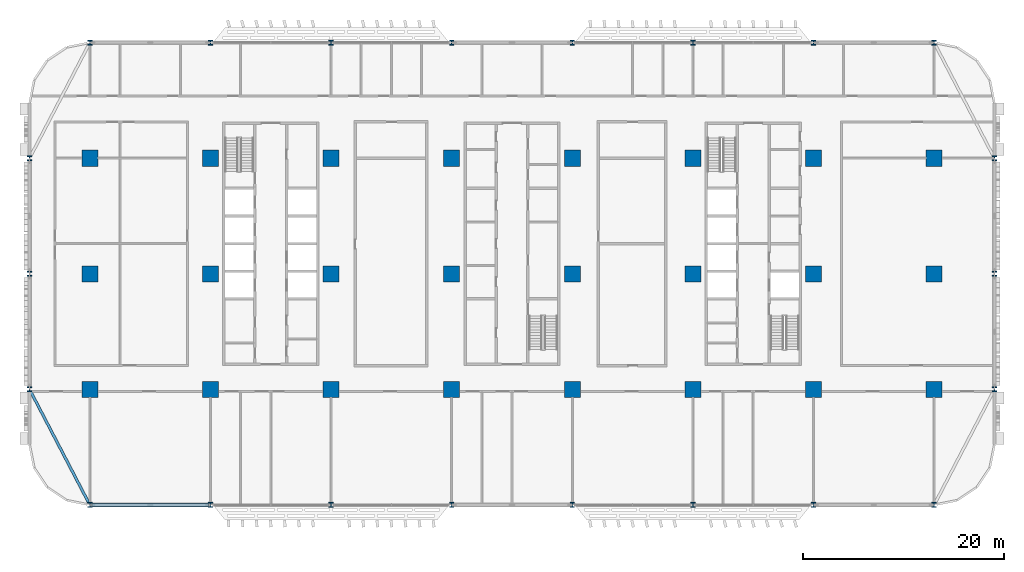
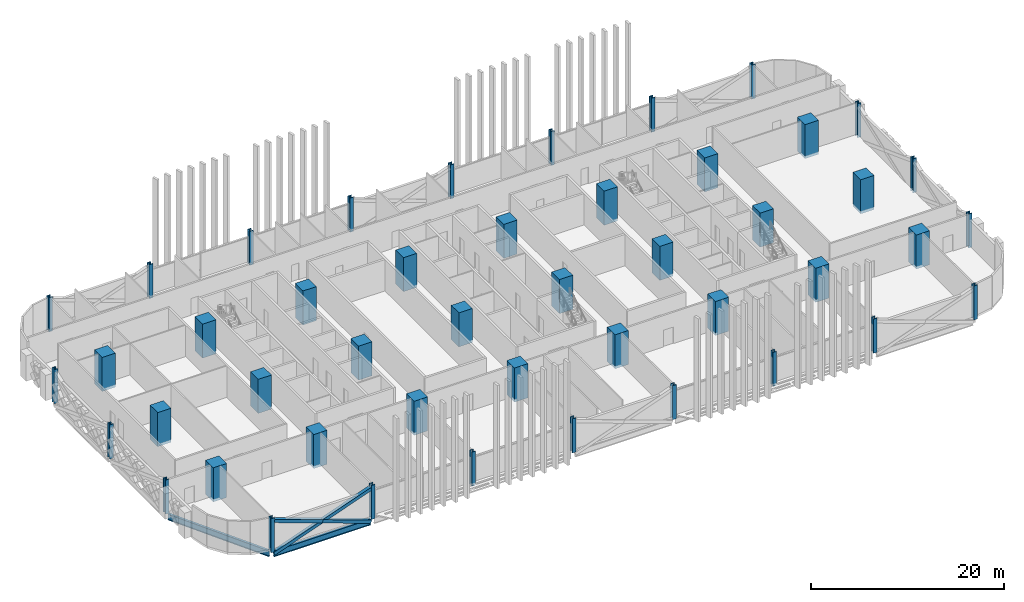
# One storey, part 1 of 29: 46 columns, 3 members, 2 beams.
"""IFC4 building model written with IfcOpenShell, lengths in metres."""

from ifc_helpers import new_model, si_unit, direction, frame, origin, origin_2d, place, context, subcontext, project, spatial, rectangle, hollow_rectangle, i_section, extrude, material, material_profile, profile_set, type_object, element, save


model = new_model("IFC4")

# Units and contexts
model_context = context("Model", 3, precision=1e-05, world=origin(), true_north=direction((0.0, 1.0)))
body_context = subcontext(model_context, "Body", "Model", "MODEL_VIEW")
ifc_project = project(units=[si_unit("LENGTHUNIT", "METRE"), si_unit("AREAUNIT", "SQUARE_METRE"), si_unit("VOLUMEUNIT", "CUBIC_METRE"), si_unit("PLANEANGLEUNIT", "RADIAN"), si_unit("MASSUNIT", "GRAM", prefix="KILO")], contexts=[model_context])

# Site, building, storey
site_placement = place(None, origin())
site = spatial("IfcSite", under=ifc_project, at=site_placement, CompositionType="ELEMENT")
building_placement = place(site_placement, origin())
building = spatial("IfcBuilding", under=site, at=building_placement, Name="Mahtab Terrace Research Tower", CompositionType="ELEMENT")
storey_placement = place(building_placement, frame((0.0, 0.0, 24.39990234375)))
storey = spatial("IfcBuildingStorey", under=building, at=storey_placement, Name="L05", CompositionType="ELEMENT", Elevation=24.39990234375)

# Columns
ifc_material_1 = material(Name="Concrete C70/85", Category="concrete")
ifc_material_profile_1 = material_profile(ifc_material_1, rectangle(XDim=1.60009765625, YDim=1.60009765625, at=origin_2d()), Name="RC column 1600x1600")
ifc_profile_set_1 = profile_set([ifc_material_profile_1], Name="Concrete C70/85")
column_type_1 = type_object("IfcColumnType", Name="RC column 1600x1600", PredefinedType="COLUMN", material=ifc_profile_set_1)
for number, where, z_axis, x_axis, name in (
    (1, (-42.0, -11.5, -0.33984375), (0.0, 0.0, 1.0), (1.0, 0.0, 0.0), "Column RC-1A L05"),
    (2, (-42.0, 0.0, -0.33984375), (0.0, 0.0, 1.0), (1.0, 0.0, 0.0), "Column RC-1B L05"),
    (3, (-42.0, 11.5, -0.33984375), (0.0, 0.0, 1.0), (1.0, 0.0, 0.0), "Column RC-1C L05"),
    (4, (-30.0, -11.5, -0.33984375), (0.0, 0.0, 1.0), (1.0, 0.0, 0.0), "Column RC-2A L05"),
    (5, (-30.0, 0.0, -0.33984375), (0.0, 0.0, 1.0), (1.0, 0.0, 0.0), "Column RC-2B L05"),
    (6, (-30.0, 11.5, -0.33984375), (0.0, 0.0, 1.0), (1.0, 0.0, 0.0), "Column RC-2C L05"),
    (7, (-18.0, -11.5, -0.33984375), (0.0, 0.0, 1.0), (1.0, 0.0, 0.0), "Column RC-3A L05"),
    (8, (-18.0, 0.0, -0.33984375), (0.0, 0.0, 1.0), (1.0, 0.0, 0.0), "Column RC-3B L05"),
    (9, (-18.0, 11.5, -0.33984375), (0.0, 0.0, 1.0), (1.0, 0.0, 0.0), "Column RC-3C L05"),
    (10, (-6.0, -11.5, -0.33984375), (0.0, 0.0, 1.0), (1.0, 0.0, 0.0), "Column RC-4A L05"),
    (11, (-6.0, 0.0, -0.33984375), (0.0, 0.0, 1.0), (1.0, 0.0, 0.0), "Column RC-4B L05"),
    (12, (-6.0, 11.5, -0.33984375), (0.0, 0.0, 1.0), (1.0, 0.0, 0.0), "Column RC-4C L05"),
    (13, (6.0, -11.5, -0.33984375), (0.0, 0.0, 1.0), (1.0, 0.0, 0.0), "Column RC-5A L05"),
    (14, (6.0, 0.0, -0.33984375), (0.0, 0.0, 1.0), (1.0, 0.0, 0.0), "Column RC-5B L05"),
    (15, (6.0, 11.5, -0.33984375), (0.0, 0.0, 1.0), (1.0, 0.0, 0.0), "Column RC-5C L05"),
    (16, (18.0, -11.5, -0.33984375), (0.0, 0.0, 1.0), (1.0, 0.0, 0.0), "Column RC-6A L05"),
    (17, (18.0, 0.0, -0.33984375), (0.0, 0.0, 1.0), (1.0, 0.0, 0.0), "Column RC-6B L05"),
    (18, (18.0, 11.5, -0.33984375), (0.0, 0.0, 1.0), (1.0, 0.0, 0.0), "Column RC-6C L05"),
    (19, (30.0, -11.5, -0.33984375), (0.0, 0.0, 1.0), (1.0, 0.0, 0.0), "Column RC-7A L05"),
    (20, (30.0, 0.0, -0.33984375), (0.0, 0.0, 1.0), (1.0, 0.0, 0.0), "Column RC-7B L05"),
    (21, (30.0, 11.5, -0.33984375), (0.0, 0.0, 1.0), (1.0, 0.0, 0.0), "Column RC-7C L05"),
    (22, (42.0, -11.5, -0.33984375), (0.0, 0.0, 1.0), (1.0, 0.0, 0.0), "Column RC-8A L05"),
    (23, (42.0, 0.0, -0.33984375), (0.0, 0.0, 1.0), (1.0, 0.0, 0.0), "Column RC-8B L05"),
    (24, (42.0, 11.5, -0.33984375), (0.0, 0.0, 1.0), (1.0, 0.0, 0.0), "Column RC-8C L05"),
):
    element("IfcColumn", number, at=place(storey_placement, frame(where, z_axis=z_axis, x_axis=x_axis)), inside=storey, type_object=column_type_1, Name=name, PredefinedType="COLUMN", context=body_context, shape_type="SweptSolid", body=[
        extrude(rectangle(XDim=1.60009765625, YDim=1.60009765625, at=origin_2d()), origin(), (0.0, 0.0, 1.0), 4.300048828125),
    ])
ifc_material_2 = material(Name="Steel ASTM A992 Gr 50", Category="steel")
ifc_material_profile_2 = material_profile(ifc_material_2, i_section(OverallWidth=0.431884765625, OverallDepth=0.497802734375, WebThickness=0.0556640625, FlangeThickness=0.0888671875, at=origin_2d()), Name="W14X500")
ifc_profile_set_2 = profile_set([ifc_material_profile_2], Name="Steel ASTM A992 Gr 50")
column_type_2 = type_object("IfcColumnType", Name="W14x500 column CS14500", PredefinedType="COLUMN", material=ifc_profile_set_2)
for number, where, z_axis, x_axis, name in (
    (25, (42.0, 23.0, -0.33984375), (0.0, 0.0, 1.0), (1.0, 0.0, 0.0), "Column SC-001 L05"),
    (26, (30.0, 23.0, -0.33984375), (0.0, 0.0, 1.0), (1.0, 0.0, 0.0), "Column SC-002 L05"),
    (27, (18.0, 23.0, -0.33984375), (0.0, 0.0, 1.0), (1.0, 0.0, 0.0), "Column SC-003 L05"),
    (28, (6.0, 23.0, -0.33984375), (0.0, 0.0, 1.0), (1.0, 0.0, 0.0), "Column SC-004 L05"),
    (29, (-6.0, 23.0, -0.33984375), (0.0, 0.0, 1.0), (1.0, 0.0, 0.0), "Column SC-005 L05"),
    (30, (-18.0, 23.0, -0.33984375), (0.0, 0.0, 1.0), (1.0, 0.0, 0.0), "Column SC-006 L05"),
    (31, (-30.0, 23.0, -0.33984375), (0.0, 0.0, 1.0), (1.0, 0.0, 0.0), "Column SC-007 L05"),
    (32, (-42.0, 23.0, -0.33984375), (0.0, 0.0, 1.0), (1.0, 0.0, 0.0), "Column SC-008 L05"),
    (33, (-48.0, 11.5, -0.33984375), (0.0, 0.0, 1.0), (1.0, 0.0, 0.0), "Column SC-009 L05"),
    (34, (-48.0, 0.0, -0.33984375), (0.0, 0.0, 1.0), (1.0, 0.0, 0.0), "Column SC-010 L05"),
    (35, (-48.0, -11.5, -0.33984375), (0.0, 0.0, 1.0), (1.0, 0.0, 0.0), "Column SC-011 L05"),
    (36, (-42.0, -23.0, -0.33984375), (0.0, 0.0, 1.0), (1.0, 0.0, 0.0), "Column SC-012 L05"),
    (37, (-30.0, -23.0, -0.33984375), (0.0, 0.0, 1.0), (1.0, 0.0, 0.0), "Column SC-013 L05"),
    (38, (-18.0, -23.0, -0.33984375), (0.0, 0.0, 1.0), (1.0, 0.0, 0.0), "Column SC-014 L05"),
    (39, (-6.0, -23.0, -0.33984375), (0.0, 0.0, 1.0), (1.0, 0.0, 0.0), "Column SC-015 L05"),
    (40, (6.0, -23.0, -0.33984375), (0.0, 0.0, 1.0), (1.0, 0.0, 0.0), "Column SC-016 L05"),
    (41, (18.0, -23.0, -0.33984375), (0.0, 0.0, 1.0), (1.0, 0.0, 0.0), "Column SC-017 L05"),
    (42, (30.0, -23.0, -0.33984375), (0.0, 0.0, 1.0), (1.0, 0.0, 0.0), "Column SC-018 L05"),
    (43, (42.0, -23.0, -0.33984375), (0.0, 0.0, 1.0), (1.0, 0.0, 0.0), "Column SC-019 L05"),
    (44, (48.0, -11.5, -0.33984375), (0.0, 0.0, 1.0), (1.0, 0.0, 0.0), "Column SC-020 L05"),
    (45, (48.0, 0.0, -0.33984375), (0.0, 0.0, 1.0), (1.0, 0.0, 0.0), "Column SC-021 L05"),
    (46, (48.0, 11.5, -0.33984375), (0.0, 0.0, 1.0), (1.0, 0.0, 0.0), "Column SC-022 L05"),
):
    element("IfcColumn", number, at=place(storey_placement, frame(where, z_axis=z_axis, x_axis=x_axis)), inside=storey, type_object=column_type_2, Name=name, PredefinedType="COLUMN", context=body_context, shape_type="SweptSolid", body=[
        extrude(i_section(OverallWidth=0.431884765625, OverallDepth=0.497802734375, WebThickness=0.0556640625, FlangeThickness=0.0888671875, at=origin_2d()), origin(), (0.0, 0.0, 1.0), 4.300048828125),
    ])

# Members
ifc_material_3 = material(Name="Steel ASTM A500 Gr C", Category="steel")
ifc_material_profile_3 = material_profile(ifc_material_3, hollow_rectangle(XDim=0.406494140625, YDim=0.406494140625, WallThickness=0.01904296875, at=origin_2d()), Name="HSS16X16X3/4")
ifc_profile_set_3 = profile_set([ifc_material_profile_3], Name="Steel ASTM A500 Gr C")
member_type = type_object("IfcMemberType", Name="HSS 16x16x3/4 brace XB161634", PredefinedType="BRACE", material=ifc_profile_set_3)
member_placement = place(storey_placement, frame((-41.7841796875, -23.0, -0.640869140625), z_axis=(0.941388097231, 0.0, 0.337325436917), x_axis=(0.0, 1.0, 0.0)))
element("IfcMember", 47, at=member_placement, inside=storey, type_object=member_type, Name="Exoskeleton brace L05 12 a", PredefinedType="BRACE", context=body_context, shape_type="SweptSolid", body=[
    extrude(hollow_rectangle(XDim=0.406494140625, YDim=0.406494140625, WallThickness=0.01904296875, at=origin_2d()), origin(), (0.0, 0.0, 1.0), 12.28857421875),
])
for number, where, z_axis, x_axis, name in (
    (48, (-30.2158203125, -23.0, -0.640869140625), (-0.941394406025, 0.0, 0.337307830185), (0.0, -1.0, 0.0), "Exoskeleton brace L05 12 b1"),
    (49, (-36.0, -23.0, 1.431640625), (-0.941381788192, 0.0, 0.337343043295), (0.0, -1.0, 0.0), "Exoskeleton brace L05 12 b2"),
):
    element("IfcMember", number, at=place(storey_placement, frame(where, z_axis=z_axis, x_axis=x_axis)), inside=storey, type_object=member_type, Name=name, PredefinedType="BRACE", context=body_context, shape_type="SweptSolid", body=[
        extrude(hollow_rectangle(XDim=0.406494140625, YDim=0.406494140625, WallThickness=0.01904296875, at=origin_2d()), origin(), (0.0, 0.0, 1.0), 6.144287109375),
    ])

# Beams
ifc_material_profile_4 = material_profile(ifc_material_2, i_section(OverallWidth=0.2666015625, OverallDepth=0.7568359375, WebThickness=0.013916015625, FlangeThickness=0.019287109375, at=origin_2d()), Name="W30X108")
ifc_profile_set_4 = profile_set([ifc_material_profile_4], Name="Steel ASTM A992 Gr 50")
beam_type = type_object("IfcBeamType", Name="W30x108 beam BS30108", PredefinedType="BEAM", material=ifc_profile_set_4)
beam_1_placement = place(storey_placement, frame((-47.8701171875, -11.748779296875, -0.71826171875), z_axis=(0.462555249274, -0.88659045865, 0.0), x_axis=(0.88659045865, 0.462555249274, 0.0)))
element("IfcBeam", 50, at=beam_1_placement, inside=storey, type_object=beam_type, Name="Spandrel beam L05 11", PredefinedType="BEAM", context=body_context, shape_type="SweptSolid", body=[
    extrude(i_section(OverallWidth=0.2666015625, OverallDepth=0.7568359375, WebThickness=0.013916015625, FlangeThickness=0.019287109375, at=origin_2d()), origin(), (0.0, 0.0, 1.0), 12.409912109375),
])
beam_2_placement = place(storey_placement, frame((-41.7841796875, -23.0, -0.71826171875), z_axis=(1.0, 0.0, 0.0), x_axis=(0.0, 1.0, 0.0)))
element("IfcBeam", 51, at=beam_2_placement, inside=storey, type_object=beam_type, Name="Spandrel beam L05 12", PredefinedType="BEAM", context=body_context, shape_type="SweptSolid", body=[
    extrude(i_section(OverallWidth=0.2666015625, OverallDepth=0.7568359375, WebThickness=0.013916015625, FlangeThickness=0.019287109375, at=origin_2d()), origin(), (0.0, 0.0, 1.0), 11.568359375),
])

save(model, "model.ifc")
